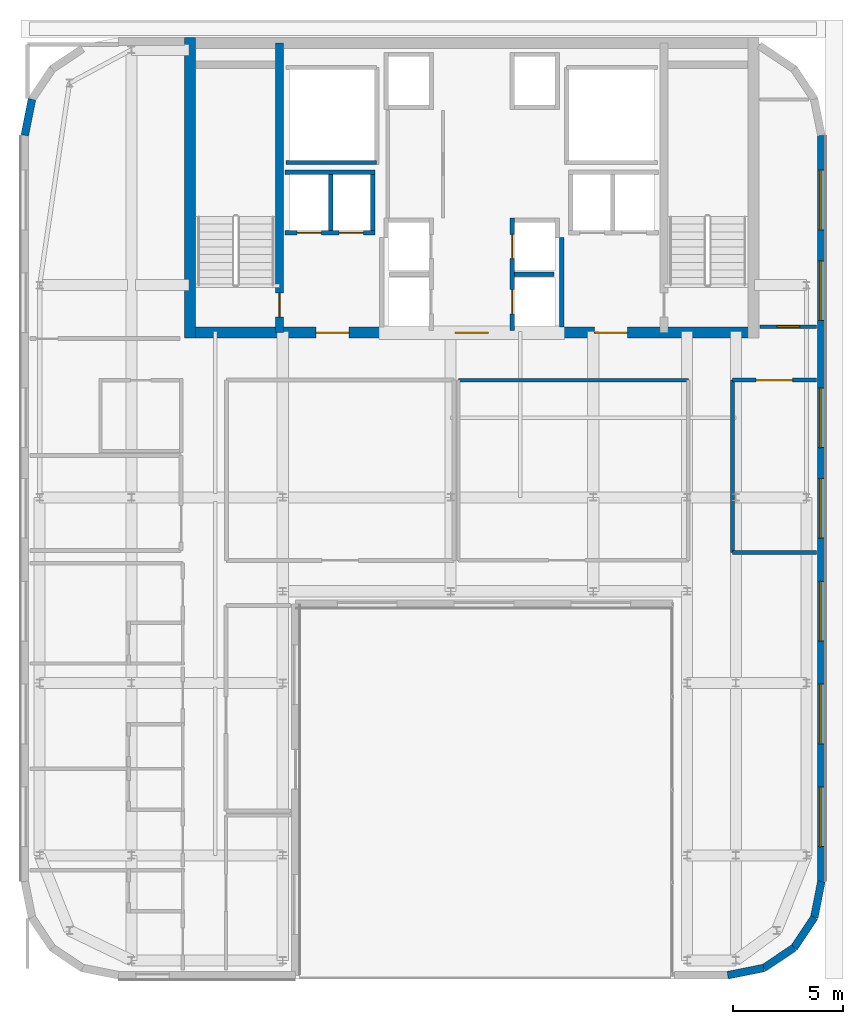
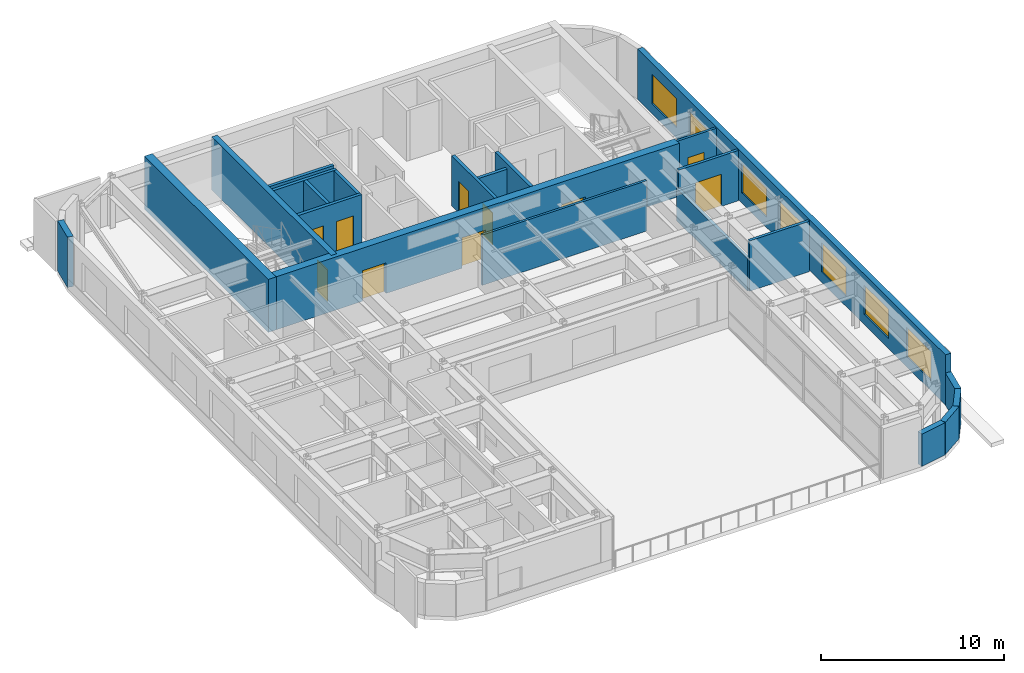
# One storey, part 10 of 16: 22 walls, 10 doors, 7 windows, 17 openings.
"""IFC4 building model written with IfcOpenShell, lengths in metres."""

from ifc_helpers import new_model, si_unit, direction, frame, frame_2d, origin, place, context, subcontext, project, spatial, rectangle, extrude, source, transform, mapped, material, layer, layer_set, type_object, type_shapes, element, fill, save


model = new_model("IFC4")

# Units and contexts
model_context = context("Model", 3, precision=1e-05, world=origin(), true_north=direction((0.0, 1.0)))
body_context = subcontext(model_context, "Body", "Model", "MODEL_VIEW")
ifc_project = project(units=[si_unit("LENGTHUNIT", "METRE"), si_unit("AREAUNIT", "SQUARE_METRE"), si_unit("VOLUMEUNIT", "CUBIC_METRE"), si_unit("PLANEANGLEUNIT", "RADIAN"), si_unit("MASSUNIT", "GRAM", prefix="KILO")], contexts=[model_context])

# Site, building, storey
site_placement = place(None, origin())
site = spatial("IfcSite", under=ifc_project, at=site_placement, CompositionType="ELEMENT")
building_placement = place(site_placement, origin())
building = spatial("IfcBuilding", under=site, at=building_placement, Name="Tolvann Quenvar Hotel", CompositionType="ELEMENT")
storey_placement = place(building_placement, frame((0.0, 0.0, 241.64990234375)))
storey = spatial("IfcBuildingStorey", under=building, at=storey_placement, Name="L64", CompositionType="ELEMENT", Elevation=241.64990234375)

# Wall, openings, doors
ifc_material_1 = material(Name="Concrete N50 (50 MPa)", Category="concrete")
ifc_layer_1 = layer(ifc_material_1, 0.5)
ifc_layer_set_1 = layer_set([ifc_layer_1], Name="Concrete N50 (50 MPa)")
wall_type_1 = type_object("IfcWallType", Name="WALL_CORE_500", PredefinedType="SHEAR", material=ifc_layer_set_1)
wall_1_placement = place(storey_placement, frame((10.0, 31.85009765625, 0.0), z_axis=(0.0, 0.0, 1.0), x_axis=(1.0, 0.0, 0.0)))
wall_1 = element("IfcWall", 1, at=wall_1_placement, inside=storey, type_object=wall_type_1, Name="Rear Core S Shear Wall (L64)", PredefinedType="SHEAR", context=body_context, shape_type="SweptSolid", body=[
    extrude(rectangle(XDim=26.0, YDim=0.5, at=frame_2d((13.0, 0.0))), origin(), (0.0, 0.0, 1.0), 3.550048828125),
])
opening_1_placement = place(wall_1_placement, frame((7.449951171875, 0.0, 0.0), z_axis=(0.0, 0.0, 1.0), x_axis=(-1.0, 0.0, 0.0)))
opening_1 = element("IfcOpeningElement", 2, at=opening_1_placement, cuts=wall_1, Name="Opening FD-60D", PredefinedType="OPENING", context=body_context, shape_type="SweptSolid", body=[
    extrude(rectangle(XDim=1.5, YDim=2.0400390625, at=frame_2d((0.75, 1.02001953125))), frame((0.0, 0.260009765625, 0.0), z_axis=(0.0, -1.0, 0.0), x_axis=(1.0, 0.0, 0.0)), (0.0, 0.0, 1.0), 0.52001953125),
])
opening_2_placement = place(wall_1_placement, frame((13.75, 0.0, 0.0), z_axis=(0.0, 0.0, 1.0), x_axis=(-1.0, 0.0, 0.0)))
opening_2 = element("IfcOpeningElement", 3, at=opening_2_placement, cuts=wall_1, Name="Opening FD-60D", PredefinedType="OPENING", context=body_context, shape_type="SweptSolid", body=[
    extrude(rectangle(XDim=1.5, YDim=2.0400390625, at=frame_2d((0.75, 1.02001953125))), frame((0.0, 0.260009765625, 0.0), z_axis=(0.0, -1.0, 0.0), x_axis=(1.0, 0.0, 0.0)), (0.0, 0.0, 1.0), 0.52001953125),
])
opening_3_placement = place(wall_1_placement, frame((20.050048828125, 0.0, 0.0), z_axis=(0.0, 0.0, 1.0), x_axis=(-1.0, 0.0, 0.0)))
opening_3 = element("IfcOpeningElement", 4, at=opening_3_placement, cuts=wall_1, Name="Opening FD-60D", PredefinedType="OPENING", context=body_context, shape_type="SweptSolid", body=[
    extrude(rectangle(XDim=1.5, YDim=2.0400390625, at=frame_2d((0.75, 1.02001953125))), frame((0.0, 0.260009765625, 0.0), z_axis=(0.0, -1.0, 0.0), x_axis=(1.0, 0.0, 0.0)), (0.0, 0.0, 1.0), 0.52001953125),
])
ifc_material_2 = material(Name="Solid-core American oak acoustic fire door leaf in steel frame", Category="steel")
door_type_1 = type_object("IfcDoorType", Name="DOOR_FIRE_LOBBY_1500", OperationType="NOTDEFINED", PredefinedType="DOOR", material=ifc_material_2)
shared_shape_1 = source(origin(), body_context, "Body", "SweptSolid", [
    extrude(rectangle(XDim=1.5, YDim=2.0400390625, at=frame_2d((0.75, 1.02001953125))), frame((0.0, 0.02490234375, 0.0), z_axis=(0.0, -1.0, 0.0), x_axis=(1.0, 0.0, 0.0)), (0.0, 0.0, 1.0), 0.050048828125),
])
type_shapes(door_type_1, [shared_shape_1])
door_1_placement = place(opening_1_placement, origin())
door_1 = element("IfcDoor", 5, at=door_1_placement, inside=storey, type_object=door_type_1, Name="Core Lobby Fire Door FFW (L64)", OperationType="DOUBLE_DOOR_SINGLE_SWING", OverallHeight=2.0400390625, OverallWidth=1.5, PredefinedType="DOOR", context=body_context, shape_type="MappedRepresentation", body=[
    mapped(shared_shape_1, transform((0.0, 0.0, 0.0), x_axis=(1.0, 0.0, 0.0), y_axis=(0.0, 1.0, 0.0), z_axis=(0.0, 0.0, 1.0), scale=1.0)),
])
fill(opening_1, door_1)
door_2_placement = place(opening_2_placement, origin())
door_2 = element("IfcDoor", 6, at=door_2_placement, inside=storey, type_object=door_type_1, Name="Core Lobby Fire Door CLOB (L64)", OperationType="DOUBLE_DOOR_SINGLE_SWING", OverallHeight=2.0400390625, OverallWidth=1.5, PredefinedType="DOOR", context=body_context, shape_type="MappedRepresentation", body=[
    mapped(shared_shape_1, transform((0.0, 0.0, 0.0), x_axis=(1.0, 0.0, 0.0), y_axis=(0.0, 1.0, 0.0), z_axis=(0.0, 0.0, 1.0), scale=1.0)),
])
fill(opening_2, door_2)
door_3_placement = place(opening_3_placement, origin())
door_3 = element("IfcDoor", 7, at=door_3_placement, inside=storey, type_object=door_type_1, Name="Core Lobby Fire Door FFE (L64)", OperationType="DOUBLE_DOOR_SINGLE_SWING", OverallHeight=2.0400390625, OverallWidth=1.5, PredefinedType="DOOR", context=body_context, shape_type="MappedRepresentation", body=[
    mapped(shared_shape_1, transform((0.0, 0.0, 0.0), x_axis=(1.0, 0.0, 0.0), y_axis=(0.0, 1.0, 0.0), z_axis=(0.0, 0.0, 1.0), scale=1.0)),
])
fill(opening_3, door_3)

# Wall
wall_2_placement = place(storey_placement, frame((10.25, 31.60009765625, 0.0), z_axis=(0.0, 0.0, 1.0), x_axis=(0.0, 1.0, 0.0)))
element("IfcWall", 8, at=wall_2_placement, inside=storey, type_object=wall_type_1, Name="Rear Core W Shear Wall (L64)", PredefinedType="SHEAR", context=body_context, shape_type="SweptSolid", body=[
    extrude(rectangle(XDim=13.599853515625, YDim=0.5, at=frame_2d((6.7998046875, 0.0))), origin(), (0.0, 0.0, 1.0), 3.550048828125),
])

# Wall, opening, door
ifc_material_3 = material(Name="Concrete S65 (65 MPa)", Category="concrete")
ifc_layer_2 = layer(ifc_material_3, 0.35009765625)
ifc_layer_set_2 = layer_set([ifc_layer_2], Name="Concrete S65 (65 MPa)")
wall_type_2 = type_object("IfcWallType", Name="WALL_CORE_INT_350", PredefinedType="SHEAR", material=ifc_layer_set_2)
wall_3_placement = place(storey_placement, frame((14.300048828125, 31.85009765625, 0.0), z_axis=(0.0, 0.0, 1.0), x_axis=(0.0, 1.0, 0.0)))
wall_3 = element("IfcWall", 9, at=wall_3_placement, inside=storey, type_object=wall_type_2, Name="Core Internal Web Shear Wall WEB-W (L64)", PredefinedType="SHEAR", context=body_context, shape_type="SweptSolid", body=[
    extrude(rectangle(XDim=13.099853515625, YDim=0.35009765625, at=frame_2d((6.5498046875, 0.0))), origin(), (0.0, 0.0, 1.0), 3.550048828125),
])
opening_4_placement = place(wall_3_placement, frame((0.699951171875, 0.0, 0.0)))
opening_4 = element("IfcOpeningElement", 10, at=opening_4_placement, cuts=wall_3, Name="Opening FD-120", PredefinedType="OPENING", context=body_context, shape_type="SweptSolid", body=[
    extrude(rectangle(XDim=1.10009765625, YDim=2.1201171875, at=frame_2d((0.550048828125, 1.06005859375))), frame((0.0, 0.18505859375, 0.0), z_axis=(0.0, -1.0, 0.0), x_axis=(1.0, 0.0, 0.0)), (0.0, 0.0, 1.0), 0.3701171875),
])
ifc_material_4 = material(Name="Pressed galvanised steel fire-rated door set", Category="steel")
door_type_2 = type_object("IfcDoorType", Name="DOOR_FIRE_STAIR_1100", OperationType="NOTDEFINED", PredefinedType="DOOR", material=ifc_material_4)
shared_shape_2 = source(origin(), body_context, "Body", "SweptSolid", [
    extrude(rectangle(XDim=1.10009765625, YDim=2.1201171875, at=frame_2d((0.550048828125, 1.06005859375))), frame((0.0, 0.02490234375, 0.0), z_axis=(0.0, -1.0, 0.0), x_axis=(1.0, 0.0, 0.0)), (0.0, 0.0, 1.0), 0.050048828125),
])
type_shapes(door_type_2, [shared_shape_2])
door_4_placement = place(opening_4_placement, origin())
door_4 = element("IfcDoor", 11, at=door_4_placement, inside=storey, type_object=door_type_2, Name="Exit Stair ST-C1 Fire Door (L64)", OperationType="SINGLE_SWING_LEFT", OverallHeight=2.1201171875, OverallWidth=1.10009765625, PredefinedType="DOOR", context=body_context, shape_type="MappedRepresentation", body=[
    mapped(shared_shape_2, transform((0.0, 0.0, 0.0), x_axis=(1.0, 0.0, 0.0), y_axis=(0.0, 1.0, 0.0), z_axis=(0.0, 0.0, 1.0), scale=1.0)),
])
fill(opening_4, door_4)

# Walls
ifc_material_5 = material(Name="Kiln-fired red and buff architectural clay brickwork and terracotta masonry", Category="masonry")
ifc_layer_3 = layer(ifc_material_5, 0.35009765625)
ifc_layer_set_3 = layer_set([ifc_layer_3], Name="Kiln-fired red and buff architectural clay brickwork and terracotta masonry")
wall_type_3 = type_object("IfcWallType", Name="WALL_EXT_BRICK_350", PredefinedType="SOLIDWALL", material=ifc_layer_set_3)
wall_4_placement = place(storey_placement, frame((34.582763671875, 2.77490234375, 0.0), z_axis=(0.0, 0.0, 1.0), x_axis=(0.980794424524, 0.195044345786, 0.0)))
element("IfcWall", 12, at=wall_4_placement, inside=storey, type_object=wall_type_3, Name="Exterior Chicago Brick Wall L64-E09", PredefinedType="SOLIDWALL", context=body_context, shape_type="SweptSolid", body=[
    extrude(rectangle(XDim=1.664794921875, YDim=0.35009765625, at=frame_2d((0.83251953125, 0.0))), origin(), (0.0, 0.0, 1.0), 2.16015625),
])
for number, where, z_axis, x_axis, name in (
    (13, (36.215576171875, 3.099609375, 0.0), (0.0, 0.0, 1.0), (0.831434158098, 0.555623290322, 0.0), "Exterior Chicago Brick Wall L64-E10"),
    (14, (37.585205078125, 4.014892578125, 0.0), (0.0, 0.0, 1.0), (0.555520825599, 0.831502623162, 0.0), "Exterior Chicago Brick Wall L64-E11"),
):
    element("IfcWall", number, at=place(storey_placement, frame(where, z_axis=z_axis, x_axis=x_axis)), inside=storey, type_object=wall_type_3, Name=name, PredefinedType="SOLIDWALL", context=body_context, shape_type="SweptSolid", body=[
        extrude(rectangle(XDim=1.647216796875, YDim=0.35009765625, at=frame_2d((0.82373046875, 0.0))), origin(), (0.0, 0.0, 1.0), 2.16015625),
    ])
wall_5_placement = place(storey_placement, frame((38.500244140625, 5.384521484375, 0.0), z_axis=(0.0, 0.0, 1.0), x_axis=(0.195072403631, 0.980788844421, 0.0)))
element("IfcWall", 15, at=wall_5_placement, inside=storey, type_object=wall_type_3, Name="Exterior Chicago Brick Wall L64-E12", PredefinedType="SOLIDWALL", context=body_context, shape_type="SweptSolid", body=[
    extrude(rectangle(XDim=1.66455078125, YDim=0.35009765625, at=frame_2d((0.832275390625, 0.0))), origin(), (0.0, 0.0, 1.0), 2.16015625),
])

# Wall, openings, windows
wall_6_placement = place(storey_placement, frame((38.824951171875, 7.01708984375, 0.0), z_axis=(0.0, 0.0, 1.0), x_axis=(0.0, 1.0, 0.0)))
wall_6 = element("IfcWall", 16, at=wall_6_placement, inside=storey, type_object=wall_type_3, Name="Exterior Chicago Brick Wall L64-E13", PredefinedType="SOLIDWALL", context=body_context, shape_type="SweptSolid", body=[
    extrude(rectangle(XDim=33.765625, YDim=0.35009765625, at=frame_2d((16.8828125, 0.0))), origin(), (0.0, 0.0, 1.0), 3.3701171875),
])
opening_5_placement = place(wall_6_placement, frame((1.575927734375, 0.0, 0.679931640625)))
opening_5 = element("IfcOpeningElement", 17, at=opening_5_placement, cuts=wall_6, Name="Opening W-04", PredefinedType="OPENING", context=body_context, shape_type="SweptSolid", body=[
    extrude(rectangle(XDim=2.699951171875, YDim=1.949951171875, at=frame_2d((1.35009765625, 0.97509765625))), frame((0.0, 0.18505859375, 0.0), z_axis=(0.0, -1.0, 0.0), x_axis=(1.0, 0.0, 0.0)), (0.0, 0.0, 1.0), 0.3701171875),
])
opening_6_placement = place(wall_6_placement, frame((6.22802734375, 0.0, 0.679931640625)))
opening_6 = element("IfcOpeningElement", 18, at=opening_6_placement, cuts=wall_6, Name="Opening W-04", PredefinedType="OPENING", context=body_context, shape_type="SweptSolid", body=[
    extrude(rectangle(XDim=2.699951171875, YDim=1.949951171875, at=frame_2d((1.35009765625, 0.97509765625))), frame((0.0, 0.18505859375, 0.0), z_axis=(0.0, -1.0, 0.0), x_axis=(1.0, 0.0, 0.0)), (0.0, 0.0, 1.0), 0.3701171875),
])
opening_7_placement = place(wall_6_placement, frame((10.881103515625, 0.0, 0.679931640625)))
opening_7 = element("IfcOpeningElement", 19, at=opening_7_placement, cuts=wall_6, Name="Opening W-04", PredefinedType="OPENING", context=body_context, shape_type="SweptSolid", body=[
    extrude(rectangle(XDim=2.699951171875, YDim=1.949951171875, at=frame_2d((1.35009765625, 0.97509765625))), frame((0.0, 0.18505859375, 0.0), z_axis=(0.0, -1.0, 0.0), x_axis=(1.0, 0.0, 0.0)), (0.0, 0.0, 1.0), 0.3701171875),
])
opening_8_placement = place(wall_6_placement, frame((15.532958984375, 0.0, 0.679931640625)))
opening_8 = element("IfcOpeningElement", 20, at=opening_8_placement, cuts=wall_6, Name="Opening W-04", PredefinedType="OPENING", context=body_context, shape_type="SweptSolid", body=[
    extrude(rectangle(XDim=2.699951171875, YDim=1.949951171875, at=frame_2d((1.35009765625, 0.97509765625))), frame((0.0, 0.18505859375, 0.0), z_axis=(0.0, -1.0, 0.0), x_axis=(1.0, 0.0, 0.0)), (0.0, 0.0, 1.0), 0.3701171875),
])
opening_9_placement = place(wall_6_placement, frame((19.635009765625, 0.0, 0.679931640625)))
opening_9 = element("IfcOpeningElement", 21, at=opening_9_placement, cuts=wall_6, Name="Opening W-04", PredefinedType="OPENING", context=body_context, shape_type="SweptSolid", body=[
    extrude(rectangle(XDim=2.699951171875, YDim=1.949951171875, at=frame_2d((1.35009765625, 0.97509765625))), frame((0.0, 0.18505859375, 0.0), z_axis=(0.0, -1.0, 0.0), x_axis=(1.0, 0.0, 0.0)), (0.0, 0.0, 1.0), 0.3701171875),
])
opening_10_placement = place(wall_6_placement, frame((25.386962890625, 0.0, 0.679931640625)))
opening_10 = element("IfcOpeningElement", 22, at=opening_10_placement, cuts=wall_6, Name="Opening W-04", PredefinedType="OPENING", context=body_context, shape_type="SweptSolid", body=[
    extrude(rectangle(XDim=2.699951171875, YDim=1.949951171875, at=frame_2d((1.35009765625, 0.97509765625))), frame((0.0, 0.18505859375, 0.0), z_axis=(0.0, -1.0, 0.0), x_axis=(1.0, 0.0, 0.0)), (0.0, 0.0, 1.0), 0.3701171875),
])
opening_11_placement = place(wall_6_placement, frame((29.489013671875, 0.0, 0.679931640625)))
opening_11 = element("IfcOpeningElement", 23, at=opening_11_placement, cuts=wall_6, Name="Opening W-04", PredefinedType="OPENING", context=body_context, shape_type="SweptSolid", body=[
    extrude(rectangle(XDim=2.699951171875, YDim=1.949951171875, at=frame_2d((1.35009765625, 0.97509765625))), frame((0.0, 0.18505859375, 0.0), z_axis=(0.0, -1.0, 0.0), x_axis=(1.0, 0.0, 0.0)), (0.0, 0.0, 1.0), 0.3701171875),
])
ifc_material_6 = material(Name="Thermally broken bronze-anodised aluminium frame with double low-E glazing", Category="aluminium")
window_type = type_object("IfcWindowType", Name="WIN_STE_2700x2150", PartitioningType="TRIPLE_PANEL_HORIZONTAL", PredefinedType="WINDOW", material=ifc_material_6)
shared_shape_3 = source(origin(), body_context, "Body", "SweptSolid", [
    extrude(rectangle(XDim=2.699951171875, YDim=1.949951171875, at=frame_2d((1.35009765625, 0.97509765625))), frame((0.0, 0.090087890625, 0.0), z_axis=(0.0, -1.0, 0.0), x_axis=(1.0, 0.0, 0.0)), (0.0, 0.0, 1.0), 0.06005859375),
])
type_shapes(window_type, [shared_shape_3])
window_1_placement = place(opening_5_placement, origin())
window_1 = element("IfcWindow", 24, at=window_1_placement, inside=storey, type_object=window_type, Name="Chicago Window W-04 (EW-L64-E13-W01)", OverallHeight=1.949951171875, OverallWidth=2.699951171875, PartitioningType="TRIPLE_PANEL_HORIZONTAL", PredefinedType="WINDOW", context=body_context, shape_type="MappedRepresentation", body=[
    mapped(shared_shape_3, transform((0.0, 0.0, 0.0), x_axis=(1.0, 0.0, 0.0), y_axis=(0.0, 1.0, 0.0), z_axis=(0.0, 0.0, 1.0), scale=1.0)),
])
fill(opening_5, window_1)
window_2_placement = place(opening_6_placement, origin())
window_2 = element("IfcWindow", 25, at=window_2_placement, inside=storey, type_object=window_type, Name="Chicago Window W-04 (EW-L64-E13-W02)", OverallHeight=1.949951171875, OverallWidth=2.699951171875, PartitioningType="TRIPLE_PANEL_HORIZONTAL", PredefinedType="WINDOW", context=body_context, shape_type="MappedRepresentation", body=[
    mapped(shared_shape_3, transform((0.0, 0.0, 0.0), x_axis=(1.0, 0.0, 0.0), y_axis=(0.0, 1.0, 0.0), z_axis=(0.0, 0.0, 1.0), scale=1.0)),
])
fill(opening_6, window_2)
window_3_placement = place(opening_7_placement, origin())
window_3 = element("IfcWindow", 26, at=window_3_placement, inside=storey, type_object=window_type, Name="Chicago Window W-04 (EW-L64-E13-W03)", OverallHeight=1.949951171875, OverallWidth=2.699951171875, PartitioningType="TRIPLE_PANEL_HORIZONTAL", PredefinedType="WINDOW", context=body_context, shape_type="MappedRepresentation", body=[
    mapped(shared_shape_3, transform((0.0, 0.0, 0.0), x_axis=(1.0, 0.0, 0.0), y_axis=(0.0, 1.0, 0.0), z_axis=(0.0, 0.0, 1.0), scale=1.0)),
])
fill(opening_7, window_3)
window_4_placement = place(opening_8_placement, origin())
window_4 = element("IfcWindow", 27, at=window_4_placement, inside=storey, type_object=window_type, Name="Chicago Window W-04 (EW-L64-E13-W04)", OverallHeight=1.949951171875, OverallWidth=2.699951171875, PartitioningType="TRIPLE_PANEL_HORIZONTAL", PredefinedType="WINDOW", context=body_context, shape_type="MappedRepresentation", body=[
    mapped(shared_shape_3, transform((0.0, 0.0, 0.0), x_axis=(1.0, 0.0, 0.0), y_axis=(0.0, 1.0, 0.0), z_axis=(0.0, 0.0, 1.0), scale=1.0)),
])
fill(opening_8, window_4)
window_5_placement = place(opening_9_placement, origin())
window_5 = element("IfcWindow", 28, at=window_5_placement, inside=storey, type_object=window_type, Name="Chicago Window W-04 (EW-L64-E13-W05)", OverallHeight=1.949951171875, OverallWidth=2.699951171875, PartitioningType="TRIPLE_PANEL_HORIZONTAL", PredefinedType="WINDOW", context=body_context, shape_type="MappedRepresentation", body=[
    mapped(shared_shape_3, transform((0.0, 0.0, 0.0), x_axis=(1.0, 0.0, 0.0), y_axis=(0.0, 1.0, 0.0), z_axis=(0.0, 0.0, 1.0), scale=1.0)),
])
fill(opening_9, window_5)
window_6_placement = place(opening_10_placement, origin())
window_6 = element("IfcWindow", 29, at=window_6_placement, inside=storey, type_object=window_type, Name="Chicago Window W-04 (EW-L64-E13-W06)", OverallHeight=1.949951171875, OverallWidth=2.699951171875, PartitioningType="TRIPLE_PANEL_HORIZONTAL", PredefinedType="WINDOW", context=body_context, shape_type="MappedRepresentation", body=[
    mapped(shared_shape_3, transform((0.0, 0.0, 0.0), x_axis=(1.0, 0.0, 0.0), y_axis=(0.0, 1.0, 0.0), z_axis=(0.0, 0.0, 1.0), scale=1.0)),
])
fill(opening_10, window_6)
window_7_placement = place(opening_11_placement, origin())
window_7 = element("IfcWindow", 30, at=window_7_placement, inside=storey, type_object=window_type, Name="Chicago Window W-04 (EW-L64-E13-W07)", OverallHeight=1.949951171875, OverallWidth=2.699951171875, PartitioningType="TRIPLE_PANEL_HORIZONTAL", PredefinedType="WINDOW", context=body_context, shape_type="MappedRepresentation", body=[
    mapped(shared_shape_3, transform((0.0, 0.0, 0.0), x_axis=(1.0, 0.0, 0.0), y_axis=(0.0, 1.0, 0.0), z_axis=(0.0, 0.0, 1.0), scale=1.0)),
])
fill(opening_11, window_7)

# Walls
wall_7_placement = place(storey_placement, frame((3.099609375, 42.41552734375, 0.0), z_axis=(0.0, 0.0, 1.0), x_axis=(-0.195044345786, -0.980794424524, 0.0)))
element("IfcWall", 31, at=wall_7_placement, inside=storey, type_object=wall_type_3, Name="Exterior Chicago Brick Wall L64-E22", PredefinedType="SOLIDWALL", context=body_context, shape_type="SweptSolid", body=[
    extrude(rectangle(XDim=1.664794921875, YDim=0.35009765625, at=frame_2d((0.83251953125, 0.0))), origin(), (0.0, 0.0, 1.0), 3.3701171875),
])
ifc_material_7 = material(Name="Acoustic twin-stud fire-rated gypsum plasterboard partition")
ifc_layer_4 = layer(ifc_material_7, 0.179931640625)
ifc_layer_set_4 = layer_set([ifc_layer_4], Name="Acoustic twin-stud fire-rated gypsum plasterboard partition")
wall_type_4 = type_object("IfcWallType", Name="WALL_PART_ACOUSTIC_180", PredefinedType="PARTITIONING", material=ifc_layer_set_4)
wall_8_placement = place(storey_placement, frame((34.800048828125, 21.89990234375, 0.0), z_axis=(0.0, 0.0, 1.0), x_axis=(1.0, 0.0, 0.0)))
element("IfcWall", 32, at=wall_8_placement, inside=storey, type_object=wall_type_4, Name="Interior Partition PT-SPC-L64-PNE1-S", PredefinedType="PARTITIONING", context=body_context, shape_type="SweptSolid", body=[
    extrude(rectangle(XDim=3.794921875, YDim=0.179931640625, at=frame_2d((1.8974609375, 0.0))), origin(), (0.0, 0.0, 1.0), 3.3701171875),
])

# Wall, opening, door
wall_9_placement = place(storey_placement, frame((34.800048828125, 29.699951171875, 0.0), z_axis=(0.0, 0.0, 1.0), x_axis=(1.0, 0.0, 0.0)))
wall_9 = element("IfcWall", 33, at=wall_9_placement, inside=storey, type_object=wall_type_4, Name="Interior Partition PT-SPC-L64-PNE1-N", PredefinedType="PARTITIONING", context=body_context, shape_type="SweptSolid", body=[
    extrude(rectangle(XDim=3.794921875, YDim=0.179931640625, at=frame_2d((1.8974609375, 0.0))), origin(), (0.0, 0.0, 1.0), 3.3701171875),
])
opening_12_placement = place(wall_9_placement, frame((1.072509765625, 0.0, 0.0)))
opening_12 = element("IfcOpeningElement", 34, at=opening_12_placement, cuts=wall_9, Name="Opening AD-01", PredefinedType="OPENING", context=body_context, shape_type="SweptSolid", body=[
    extrude(rectangle(XDim=1.64990234375, YDim=2.14990234375, at=frame_2d((0.824951171875, 1.074951171875))), frame((0.0, 0.10009765625, 0.0), z_axis=(0.0, -1.0, 0.0), x_axis=(1.0, 0.0, 0.0)), (0.0, 0.0, 1.0), 0.199951171875),
])
door_type_3 = type_object("IfcDoorType", Name="DOOR_SALON_1650", OperationType="NOTDEFINED", PredefinedType="DOOR", material=ifc_material_2)
shared_shape_4 = source(origin(), body_context, "Body", "SweptSolid", [
    extrude(rectangle(XDim=1.64990234375, YDim=2.14990234375, at=frame_2d((0.824951171875, 1.074951171875))), frame((0.0, 0.02490234375, 0.0), z_axis=(0.0, -1.0, 0.0), x_axis=(1.0, 0.0, 0.0)), (0.0, 0.0, 1.0), 0.050048828125),
])
type_shapes(door_type_3, [shared_shape_4])
door_5_placement = place(opening_12_placement, origin())
door_5 = element("IfcDoor", 35, at=door_5_placement, inside=storey, type_object=door_type_3, Name="Interior Door DOOR-SPC-L64-PNE1", OperationType="DOUBLE_DOOR_SINGLE_SWING", OverallHeight=2.14990234375, OverallWidth=1.64990234375, PredefinedType="DOOR", context=body_context, shape_type="MappedRepresentation", body=[
    mapped(shared_shape_4, transform((0.0, 0.0, 0.0), x_axis=(1.0, 0.0, 0.0), y_axis=(0.0, 1.0, 0.0), z_axis=(0.0, 0.0, 1.0), scale=1.0)),
])
fill(opening_12, door_5)

# Walls
wall_10_placement = place(storey_placement, frame((34.800048828125, 21.89990234375, 0.0), z_axis=(0.0, 0.0, 1.0), x_axis=(0.0, 1.0, 0.0)))
element("IfcWall", 36, at=wall_10_placement, inside=storey, type_object=wall_type_4, Name="Interior Partition PT-SPC-L64-PNE1-W", PredefinedType="PARTITIONING", context=body_context, shape_type="SweptSolid", body=[
    extrude(rectangle(XDim=7.800048828125, YDim=0.179931640625, at=frame_2d((3.89990234375, 0.0))), origin(), (0.0, 0.0, 1.0), 2.16015625),
])
ifc_layer_5 = layer(ifc_material_7, 0.14990234375)
ifc_layer_set_5 = layer_set([ifc_layer_5], Name="Acoustic twin-stud fire-rated gypsum plasterboard partition")
wall_type_5 = type_object("IfcWallType", Name="WALL_PART_SUITE_150", PredefinedType="PARTITIONING", material=ifc_layer_set_5)
wall_11_placement = place(storey_placement, frame((22.39990234375, 29.699951171875, 0.0), z_axis=(0.0, 0.0, 1.0), x_axis=(1.0, 0.0, 0.0)))
element("IfcWall", 37, at=wall_11_placement, inside=storey, type_object=wall_type_5, Name="Interior Partition PT-SPC-L64-PCNTRE-N", PredefinedType="PARTITIONING", context=body_context, shape_type="SweptSolid", body=[
    extrude(rectangle(XDim=10.400146484375, YDim=0.14990234375, at=frame_2d((5.2001953125, 0.0))), origin(), (0.0, 0.0, 1.0), 3.3701171875),
])

# Wall, opening, door
wall_12_placement = place(storey_placement, frame((36.054931640625, 32.1201171875, 0.0), z_axis=(0.0, 0.0, 1.0), x_axis=(1.0, 0.0, 0.0)))
wall_12 = element("IfcWall", 38, at=wall_12_placement, inside=storey, type_object=wall_type_5, Name="Interior Partition PT-SPC-L64-RECPL-P-S", PredefinedType="PARTITIONING", context=body_context, shape_type="SweptSolid", body=[
    extrude(rectangle(XDim=2.5400390625, YDim=0.14990234375, at=frame_2d((1.27001953125, 0.0))), origin(), (0.0, 0.0, 1.0), 3.3701171875),
])
opening_13_placement = place(wall_12_placement, frame((0.760009765625, 0.0, 0.0)))
opening_13 = element("IfcOpeningElement", 39, at=opening_13_placement, cuts=wall_12, Name="Opening HD-01", PredefinedType="OPENING", context=body_context, shape_type="SweptSolid", body=[
    extrude(rectangle(XDim=1.02001953125, YDim=2.030029296875, at=frame_2d((0.510009765625, 1.01513671875))), frame((0.0, 0.0849609375, 0.0), z_axis=(0.0, -1.0, 0.0), x_axis=(1.0, 0.0, 0.0)), (0.0, 0.0, 1.0), 0.169921875),
])
door_type_4 = type_object("IfcDoorType", Name="DOOR_BOH_1020", OperationType="NOTDEFINED", PredefinedType="DOOR", material=ifc_material_4)
shared_shape_5 = source(origin(), body_context, "Body", "SweptSolid", [
    extrude(rectangle(XDim=1.02001953125, YDim=2.030029296875, at=frame_2d((0.510009765625, 1.01513671875))), frame((0.0, 0.02490234375, 0.0), z_axis=(0.0, -1.0, 0.0), x_axis=(1.0, 0.0, 0.0)), (0.0, 0.0, 1.0), 0.050048828125),
])
type_shapes(door_type_4, [shared_shape_5])
door_6_placement = place(opening_13_placement, origin())
door_6 = element("IfcDoor", 40, at=door_6_placement, inside=storey, type_object=door_type_4, Name="Interior Door DOOR-SPC-L64-RECPL-P", OperationType="SINGLE_SWING_RIGHT", OverallHeight=2.030029296875, OverallWidth=1.02001953125, PredefinedType="DOOR", context=body_context, shape_type="MappedRepresentation", body=[
    mapped(shared_shape_5, transform((0.0, 0.0, 0.0), x_axis=(1.0, 0.0, 0.0), y_axis=(0.0, 1.0, 0.0), z_axis=(0.0, 0.0, 1.0), scale=1.0)),
])
fill(opening_13, door_6)

# Walls
ifc_material_8 = material(Name="Concrete N40 (40 MPa)", Category="concrete")
ifc_layer_6 = layer(ifc_material_8, 0.199951171875)
ifc_layer_set_6 = layer_set([ifc_layer_6], Name="Concrete N40 (40 MPa)")
wall_type_6 = type_object("IfcWallType", Name="WALL_SHAFT_200", PredefinedType="SOLIDWALL", material=ifc_layer_set_6)
wall_13_placement = place(storey_placement, frame((14.60009765625, 39.550048828125, 0.0), z_axis=(0.0, 0.0, 1.0), x_axis=(1.0, 0.0, 0.0)))
element("IfcWall", 41, at=wall_13_placement, inside=storey, type_object=wall_type_6, Name="Service Riser W Shaft Wall S (L64)", PredefinedType="SOLIDWALL", context=body_context, shape_type="SweptSolid", body=[
    extrude(rectangle(XDim=4.099853515625, YDim=0.199951171875, at=frame_2d((2.0498046875, 0.0))), origin(), (0.0, 0.0, 1.0), 3.3701171875),
])
wall_14_placement = place(storey_placement, frame((27.080078125, 32.10400390625, 0.0), z_axis=(0.0, 0.0, 1.0), x_axis=(0.0, 1.0, 0.0)))
element("IfcWall", 42, at=wall_14_placement, inside=storey, type_object=wall_type_6, Name="Firefighting Lobby E Inner Fire Wall (L64)", PredefinedType="SOLIDWALL", context=body_context, shape_type="SweptSolid", body=[
    extrude(rectangle(XDim=4.0458984375, YDim=0.199951171875, at=frame_2d((2.02294921875, 0.0))), origin(), (0.0, 0.0, 1.0), 3.3701171875),
])

# Wall, openings, doors
wall_15_placement = place(storey_placement, frame((14.550048828125, 36.3798828125, 0.0), z_axis=(0.0, 0.0, 1.0), x_axis=(1.0, 0.0, 0.0)))
wall_15 = element("IfcWall", 43, at=wall_15_placement, inside=storey, type_object=wall_type_6, Name="Lift Bank SWC1 Hoistway Front Wall (L64)", PredefinedType="SOLIDWALL", context=body_context, shape_type="SweptSolid", body=[
    extrude(rectangle(XDim=4.074951171875, YDim=0.199951171875, at=frame_2d((2.03759765625, 0.0))), origin(), (0.0, 0.0, 1.0), 3.3701171875),
])
opening_14_placement = place(wall_15_placement, frame((0.550048828125, 0.0, 0.0)))
opening_14 = element("IfcOpeningElement", 44, at=opening_14_placement, cuts=wall_15, Name="Opening LD-01", PredefinedType="OPENING", context=body_context, shape_type="SweptSolid", body=[
    extrude(rectangle(XDim=1.10009765625, YDim=2.1201171875, at=frame_2d((0.550048828125, 1.06005859375))), frame((0.0, 0.10986328125, 0.0), z_axis=(0.0, -1.0, 0.0), x_axis=(1.0, 0.0, 0.0)), (0.0, 0.0, 1.0), 0.219970703125),
])
opening_15_placement = place(wall_15_placement, frame((2.449951171875, 0.0, 0.0)))
opening_15 = element("IfcOpeningElement", 45, at=opening_15_placement, cuts=wall_15, Name="Opening LD-01", PredefinedType="OPENING", context=body_context, shape_type="SweptSolid", body=[
    extrude(rectangle(XDim=1.10009765625, YDim=2.1201171875, at=frame_2d((0.550048828125, 1.06005859375))), frame((0.0, 0.10986328125, 0.0), z_axis=(0.0, -1.0, 0.0), x_axis=(1.0, 0.0, 0.0)), (0.0, 0.0, 1.0), 0.219970703125),
])
ifc_material_9 = material(Name="Brushed 316 stainless steel automatic sliding lift landing door", Category="steel")
door_type_5 = type_object("IfcDoorType", Name="DOOR_LIFT_SLIDE_1100", OperationType="NOTDEFINED", PredefinedType="DOOR", material=ifc_material_9)
shared_shape_6 = source(origin(), body_context, "Body", "SweptSolid", [
    extrude(rectangle(XDim=1.10009765625, YDim=2.1201171875, at=frame_2d((0.550048828125, 1.06005859375))), frame((0.0, 0.02490234375, 0.0), z_axis=(0.0, -1.0, 0.0), x_axis=(1.0, 0.0, 0.0)), (0.0, 0.0, 1.0), 0.050048828125),
])
type_shapes(door_type_5, [shared_shape_6])
door_7_placement = place(opening_14_placement, origin())
door_7 = element("IfcDoor", 46, at=door_7_placement, inside=storey, type_object=door_type_5, Name="Lift FF-1 Sliding Landing Door (L64)", OperationType="SLIDING_TO_LEFT", OverallHeight=2.1201171875, OverallWidth=1.10009765625, PredefinedType="DOOR", context=body_context, shape_type="MappedRepresentation", body=[
    mapped(shared_shape_6, transform((0.0, 0.0, 0.0), x_axis=(1.0, 0.0, 0.0), y_axis=(0.0, 1.0, 0.0), z_axis=(0.0, 0.0, 1.0), scale=1.0)),
])
fill(opening_14, door_7)
door_8_placement = place(opening_15_placement, origin())
door_8 = element("IfcDoor", 47, at=door_8_placement, inside=storey, type_object=door_type_5, Name="Lift SV-1 Sliding Landing Door (L64)", OperationType="SLIDING_TO_RIGHT", OverallHeight=2.1201171875, OverallWidth=1.10009765625, PredefinedType="DOOR", context=body_context, shape_type="MappedRepresentation", body=[
    mapped(shared_shape_6, transform((0.0, 0.0, 0.0), x_axis=(1.0, 0.0, 0.0), y_axis=(0.0, 1.0, 0.0), z_axis=(0.0, 0.0, 1.0), scale=1.0)),
])
fill(opening_15, door_8)

# Walls
wall_16_placement = place(storey_placement, frame((14.550048828125, 39.1201171875, 0.0), z_axis=(0.0, 0.0, 1.0), x_axis=(1.0, 0.0, 0.0)))
element("IfcWall", 48, at=wall_16_placement, inside=storey, type_object=wall_type_6, Name="Lift Bank SWC1 Hoistway Rear Wall (L64)", PredefinedType="SOLIDWALL", context=body_context, shape_type="SweptSolid", body=[
    extrude(rectangle(XDim=4.074951171875, YDim=0.199951171875, at=frame_2d((2.03759765625, 0.0))), origin(), (0.0, 0.0, 1.0), 3.3701171875),
])
for number, where, z_axis, x_axis, name in (
    (49, (18.52490234375, 36.47998046875, 0.0), (0.0, 0.0, 1.0), (0.0, 1.0, 0.0), "Lift Bank SWC1 Hoistway Cheek Wall 2 (L64)"),
    (50, (16.612548828125, 36.47998046875, 0.0), (0.0, 0.0, 1.0), (0.0, 1.0, 0.0), "Lift Bank SWC1 Divider Wall 1 (L64)"),
):
    element("IfcWall", number, at=place(storey_placement, frame(where, z_axis=z_axis, x_axis=x_axis)), inside=storey, type_object=wall_type_6, Name=name, PredefinedType="SOLIDWALL", context=body_context, shape_type="SweptSolid", body=[
        extrude(rectangle(XDim=2.5400390625, YDim=0.199951171875, at=frame_2d((1.27001953125, 0.0))), origin(), (0.0, 0.0, 1.0), 3.3701171875),
    ])

# Wall, openings, doors
wall_17_placement = place(storey_placement, frame((24.830078125, 31.9599609375, 0.0), z_axis=(0.0, 0.0, 1.0), x_axis=(0.0, 1.0, 0.0)))
wall_17 = element("IfcWall", 51, at=wall_17_placement, inside=storey, type_object=wall_type_6, Name="Lift Bank W24.9C1 Hoistway Front Wall (L64)", PredefinedType="SOLIDWALL", context=body_context, shape_type="SweptSolid", body=[
    extrude(rectangle(XDim=5.080078125, YDim=0.199951171875, at=frame_2d((2.5400390625, 0.0))), origin(), (0.0, 0.0, 1.0), 3.3701171875),
])
opening_16_placement = place(wall_17_placement, frame((0.739990234375, 0.0, 0.0)))
opening_16 = element("IfcOpeningElement", 52, at=opening_16_placement, cuts=wall_17, Name="Opening LD-01", PredefinedType="OPENING", context=body_context, shape_type="SweptSolid", body=[
    extrude(rectangle(XDim=1.10009765625, YDim=2.1201171875, at=frame_2d((0.550048828125, 1.06005859375))), frame((0.0, 0.10986328125, 0.0), z_axis=(0.0, -1.0, 0.0), x_axis=(1.0, 0.0, 0.0)), (0.0, 0.0, 1.0), 0.219970703125),
])
opening_17_placement = place(wall_17_placement, frame((3.239990234375, 0.0, 0.0)))
opening_17 = element("IfcOpeningElement", 53, at=opening_17_placement, cuts=wall_17, Name="Opening LD-01", PredefinedType="OPENING", context=body_context, shape_type="SweptSolid", body=[
    extrude(rectangle(XDim=1.10009765625, YDim=2.1201171875, at=frame_2d((0.550048828125, 1.06005859375))), frame((0.0, 0.10986328125, 0.0), z_axis=(0.0, -1.0, 0.0), x_axis=(1.0, 0.0, 0.0)), (0.0, 0.0, 1.0), 0.219970703125),
])
door_9_placement = place(opening_16_placement, origin())
door_9 = element("IfcDoor", 54, at=door_9_placement, inside=storey, type_object=door_type_5, Name="Lift PH-3 Sliding Landing Door (L64)", OperationType="SLIDING_TO_LEFT", OverallHeight=2.1201171875, OverallWidth=1.10009765625, PredefinedType="DOOR", context=body_context, shape_type="MappedRepresentation", body=[
    mapped(shared_shape_6, transform((0.0, 0.0, 0.0), x_axis=(1.0, 0.0, 0.0), y_axis=(0.0, 1.0, 0.0), z_axis=(0.0, 0.0, 1.0), scale=1.0)),
])
fill(opening_16, door_9)
door_10_placement = place(opening_17_placement, origin())
door_10 = element("IfcDoor", 55, at=door_10_placement, inside=storey, type_object=door_type_5, Name="Lift PH-4 Sliding Landing Door (L64)", OperationType="SLIDING_TO_RIGHT", OverallHeight=2.1201171875, OverallWidth=1.10009765625, PredefinedType="DOOR", context=body_context, shape_type="MappedRepresentation", body=[
    mapped(shared_shape_6, transform((0.0, 0.0, 0.0), x_axis=(1.0, 0.0, 0.0), y_axis=(0.0, 1.0, 0.0), z_axis=(0.0, 0.0, 1.0), scale=1.0)),
])
fill(opening_17, door_10)

# Wall
wall_18_placement = place(storey_placement, frame((24.929931640625, 34.5, 0.0), z_axis=(0.0, 0.0, 1.0), x_axis=(1.0, 0.0, 0.0)))
element("IfcWall", 56, at=wall_18_placement, inside=storey, type_object=wall_type_6, Name="Lift Bank W24.9C1 Divider Wall 1 (L64)", PredefinedType="SOLIDWALL", context=body_context, shape_type="SweptSolid", body=[
    extrude(rectangle(XDim=1.800048828125, YDim=0.199951171875, at=frame_2d((0.89990234375, 0.0))), origin(), (0.0, 0.0, 1.0), 3.3701171875),
])

save(model, "model.ifc")
